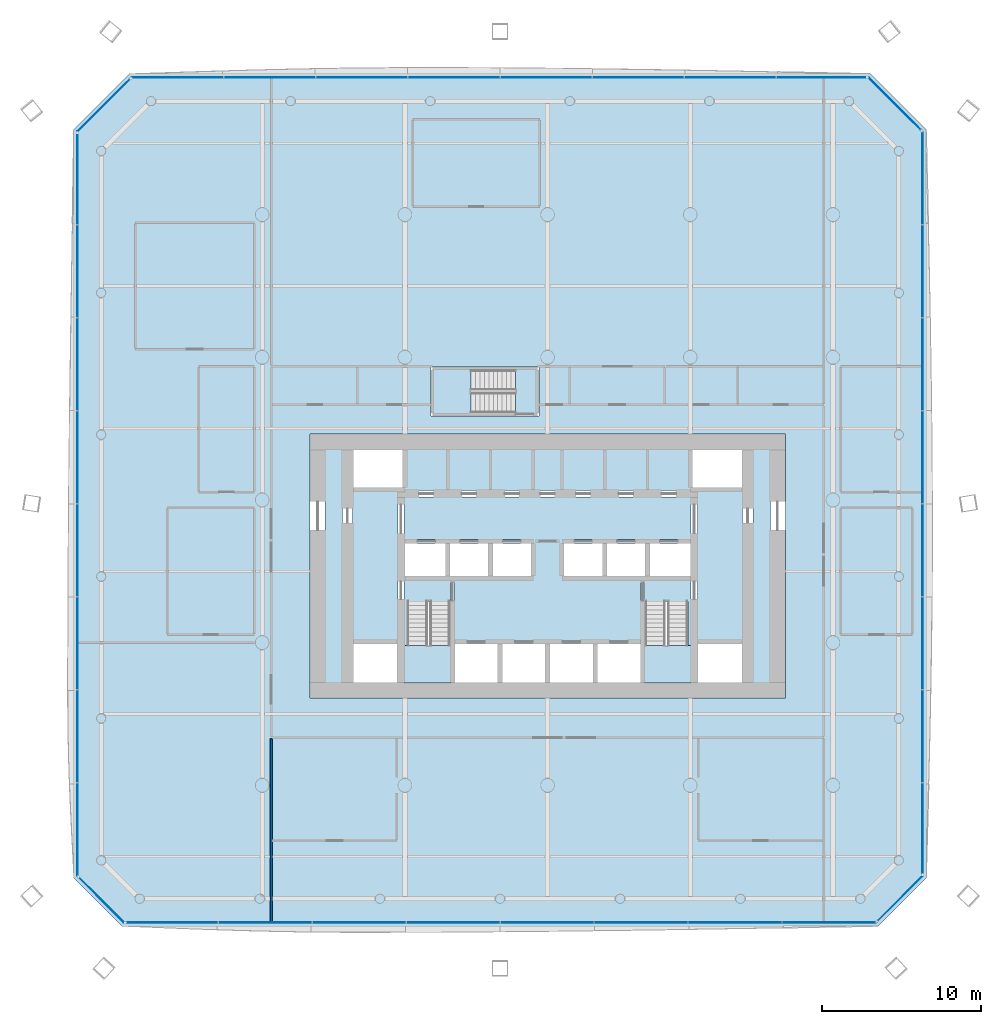
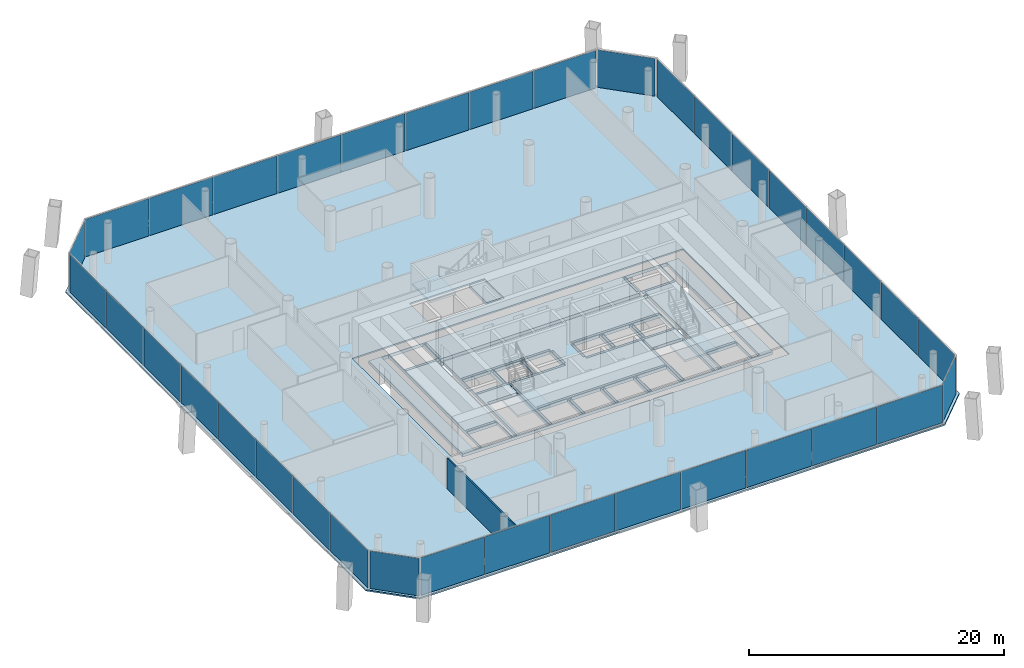
# One storey, part 12 of 21: 36 plates, 6 slabs, 1 wall, 11 elements without a shape of their own.
"""IFC4 building model written with IfcOpenShell, lengths in metres."""

import ifcopenshell
import ifcopenshell.guid

model = None  # the IFC model being written
_history = None  # IfcOwnerHistory: only IFC2X3 demands one
_inside = {}  # id of a spatial element -> (the spatial element, [elements in it])
_under = {}  # id of a project, library or spatial element -> (it, [spatial elements below it])
_declared = {}  # id of a project -> (the project, [libraries it declares])
_typed = {}  # id of a type object -> (the type object, [elements of that type])
_made_of = {}  # id of a material, layer set ... -> (it, [elements and type objects made of it])


def new_model(schema):
    """Start an empty IFC model of exactly this schema.

    Asked for "IFC4X3", IfcOpenShell would pick the latest addendum, in which some entities
    have other attributes; the version numbers below select the first issue.
    IFC2X3 requires an IfcOwnerHistory on every rooted entity: one is made here for all.
    """
    global model, _history
    if schema == "IFC4X3":
        model = ifcopenshell.file(schema_version=(4, 3, 0, 0))
    else:
        model = ifcopenshell.file(schema=schema)
    _inside.clear()
    _under.clear()
    _declared.clear()
    _typed.clear()
    _made_of.clear()
    _history = None
    if model.schema == "IFC2X3":
        org = make("IfcOrganization", Name="unknown")
        user = make(
            "IfcPersonAndOrganization",
            ThePerson=make("IfcPerson", FamilyName="unknown"),
            TheOrganization=org,
        )
        app = make(
            "IfcApplication",
            ApplicationDeveloper=org,
            Version="unknown",
            ApplicationFullName="unknown",
            ApplicationIdentifier="unknown",
        )
        _history = make(
            "IfcOwnerHistory",
            OwningUser=user,
            OwningApplication=app,
            ChangeAction="ADDED",
            CreationDate=0,
        )
    return model


def make(cls, **values):
    """One entity of the class cls with the attributes given. An attribute that is None is left unset."""
    return model.create_entity(
        cls, **{name: value for name, value in values.items() if value is not None}
    )


def rooted(cls, **values):
    """An entity with a GlobalId (a new one), such as an element, a storey or a relation."""
    return make(cls, GlobalId=ifcopenshell.guid.new(), OwnerHistory=_history, **values)


def si_unit(unit_type, name, prefix=None):
    """IfcSIUnit, for example si_unit("LENGTHUNIT", "METRE", prefix="MILLI")."""
    return make("IfcSIUnit", UnitType=unit_type, Prefix=prefix, Name=name)


def assignment(units):
    """IfcUnitAssignment: the units of a project."""
    return None if units is None else make("IfcUnitAssignment", Units=units)


def point(xyz):
    """IfcCartesianPoint."""
    return None if xyz is None else make("IfcCartesianPoint", Coordinates=xyz)


def direction(xyz):
    """IfcDirection."""
    return None if xyz is None else make("IfcDirection", DirectionRatios=xyz)


def frame(location, z_axis=None, x_axis=None):
    """IfcAxis2Placement3D, a coordinate frame: its origin and axes. An axis left out is left unset."""
    return make(
        "IfcAxis2Placement3D",
        Location=point(location),
        Axis=direction(z_axis),
        RefDirection=direction(x_axis),
    )


def frame_2d(location, x_axis=None):
    """IfcAxis2Placement2D, a coordinate frame in the plane: its origin and x axis."""
    return make(
        "IfcAxis2Placement2D", Location=point(location), RefDirection=direction(x_axis)
    )


def origin():
    """The frame at (0, 0, 0) with its axes left unset."""
    return frame((0.0, 0.0, 0.0))


def origin_2d():
    """The frame at (0, 0) in the plane with its x axis left unset."""
    return frame_2d((0.0, 0.0))


def place(relative_to, where):
    """IfcLocalPlacement: puts the frame where relative to a parent placement (None: the world)."""
    return make(
        "IfcLocalPlacement", PlacementRelTo=relative_to, RelativePlacement=where
    )


def context(
    kind, dimensions, precision=None, world=None, true_north=None, identifier=None
):
    """IfcGeometricRepresentationContext, for example the 3D "Model" context."""
    return make(
        "IfcGeometricRepresentationContext",
        ContextIdentifier=identifier,
        ContextType=kind,
        CoordinateSpaceDimension=dimensions,
        Precision=precision,
        WorldCoordinateSystem=world,
        TrueNorth=true_north,
    )


def subcontext(parent, identifier, kind, view, scale=None):
    """IfcGeometricRepresentationSubContext, for example "Body" below "Model"."""
    return make(
        "IfcGeometricRepresentationSubContext",
        ContextIdentifier=identifier,
        ContextType=kind,
        ParentContext=parent,
        TargetScale=scale,
        TargetView=view,
    )


def project(units=None, contexts=None):
    """IfcProject with its units and contexts."""
    return rooted(
        "IfcProject",
        Name="project",
        RepresentationContexts=contexts,
        UnitsInContext=assignment(units),
    )


def spatial(cls, under=None, at=None, **own):
    """A site, building, storey or space (cls), placed at a placement, below another one or the project."""
    s = rooted(cls, ObjectPlacement=at, **own)
    if under is not None:
        _under.setdefault(under.id(), (under, []))[1].append(s)
    return s


def polyline(points):
    """IfcPolyline through the points."""
    return make("IfcPolyline", Points=[point(p) for p in points])


def profile(cls, at=None, kind="AREA", **sizes):
    """A parametric profile (cls). Its sizes go by their IFC names, for example OverallWidth=200.0."""
    return make(cls, ProfileType=kind, Position=at, **sizes)


def rectangle(**sizes):
    """IfcRectangleProfileDef."""
    return profile("IfcRectangleProfileDef", **sizes)


def outline(outer, holes=None, kind="AREA"):
    """IfcArbitraryClosedProfileDef: a profile drawn as a closed curve; with holes, ...WithVoids."""
    if holes is None:
        return make("IfcArbitraryClosedProfileDef", ProfileType=kind, OuterCurve=outer)
    return make(
        "IfcArbitraryProfileDefWithVoids",
        ProfileType=kind,
        OuterCurve=outer,
        InnerCurves=holes,
    )


def extrude(swept, where, along, depth):
    """IfcExtrudedAreaSolid: the profile swept, set in the frame where, extruded along a direction by depth."""
    return make(
        "IfcExtrudedAreaSolid",
        SweptArea=swept,
        Position=where,
        ExtrudedDirection=direction(along),
        Depth=depth,
    )


def shape(context_of_items, identifier, shape_type, items):
    """IfcShapeRepresentation: the items that make up one representation, for example the "Body"."""
    return make(
        "IfcShapeRepresentation",
        ContextOfItems=context_of_items,
        RepresentationIdentifier=identifier,
        RepresentationType=shape_type,
        Items=items,
    )


def material(Name=None, Category=None):
    """IfcMaterial."""
    return make("IfcMaterial", Name=Name, Category=Category)


def layer(
    of_material, thickness, ventilated=None, Name=None, Category=None, Priority=None
):
    """IfcMaterialLayer: one layer of a wall or slab, of a material (None: an air gap)."""
    return make(
        "IfcMaterialLayer",
        Material=of_material,
        LayerThickness=thickness,
        IsVentilated=ventilated,
        Name=Name,
        Category=Category,
        Priority=Priority,
    )


def layer_set(layers, Name=None):
    """IfcMaterialLayerSet."""
    return make("IfcMaterialLayerSet", MaterialLayers=layers, LayerSetName=Name)


def made_of(thing, what):
    """Note that an element or type object is made of a material, layer set ...; save() writes the relation."""
    if what is not None:
        _made_of.setdefault(what.id(), (what, []))[1].append(thing)
    return thing


def type_object(cls, material=None, **own):
    """A type object (cls), such as IfcWallType, which elements share."""
    return made_of(rooted(cls, **own), material)


def element(
    cls,
    number,
    at=None,
    inside=None,
    cuts=None,
    type_object=None,
    material=None,
    context=None,
    identifier="Body",
    shape_type=None,
    held_by="IfcProductDefinitionShape",
    body=None,
    shapes=None,
    **own,
):
    """One element of the class cls, such as IfcWall. Its Tag is "e" and its number.

    at: its placement. inside: the storey or other place that contains it. cuts: it is an
    opening in that element (IfcRelVoidsElement). A single representation is given by context,
    identifier, shape_type and body (its items); several are given by shapes. held_by: the class
    of the entity that holds the representations. save() writes the other relations.
    """
    e = rooted(cls, Tag="e%d" % number, ObjectPlacement=at, **own)
    if body is not None:
        shapes = [shape(context, identifier, shape_type, body)]
    if shapes is not None:
        e.Representation = make(held_by, Representations=shapes)
    if inside is not None:
        _inside.setdefault(inside.id(), (inside, []))[1].append(e)
    if cuts is not None:
        rooted(
            "IfcRelVoidsElement", RelatingBuildingElement=cuts, RelatedOpeningElement=e
        )
    if type_object is not None:
        _typed.setdefault(type_object.id(), (type_object, []))[1].append(e)
    return made_of(e, material)


def aggregate(whole, parts):
    """IfcRelAggregates: a whole, such as a stair, and the parts it consists of."""
    return rooted("IfcRelAggregates", RelatingObject=whole, RelatedObjects=parts)


def save(model, path):
    """Write the relations noted so far, then the file.

    IfcRelAggregates (storeys below a building ...), IfcRelContainedInSpatialStructure (elements
    in a storey), IfcRelDefinesByType, IfcRelAssociatesMaterial and IfcRelDeclares: one each for
    every whole, place, type object, material and project.
    """
    for whole, parts in _under.values():
        aggregate(whole, parts)
    for where, things in _inside.values():
        rooted(
            "IfcRelContainedInSpatialStructure",
            RelatedElements=things,
            RelatingStructure=where,
        )
    for kind, things in _typed.values():
        rooted("IfcRelDefinesByType", RelatedObjects=things, RelatingType=kind)
    for what, things in _made_of.values():
        rooted("IfcRelAssociatesMaterial", RelatedObjects=things, RelatingMaterial=what)
    for by, libraries in _declared.values():
        rooted("IfcRelDeclares", RelatingContext=by, RelatedDefinitions=libraries)
    model.write(path)


model = new_model("IFC4")

# Units and contexts
model_context = context("Model", 3, precision=1e-05, world=origin(), true_north=direction((0.0, 1.0)))
body_context = subcontext(model_context, "Body", "Model", "MODEL_VIEW")
ifc_project = project(units=[si_unit("LENGTHUNIT", "METRE"), si_unit("AREAUNIT", "SQUARE_METRE"), si_unit("VOLUMEUNIT", "CUBIC_METRE"), si_unit("PLANEANGLEUNIT", "RADIAN"), si_unit("MASSUNIT", "GRAM", prefix="KILO")], contexts=[model_context])

# Site, building, storey
site_placement = place(None, origin())
site = spatial("IfcSite", under=ifc_project, at=site_placement, CompositionType="ELEMENT")
building_placement = place(site_placement, origin())
building = spatial("IfcBuilding", under=site, at=building_placement, Name="Tskaro Facet Tower", CompositionType="ELEMENT")
storey_placement = place(building_placement, frame((0.0, 0.0, 38.10009765625)))
storey = spatial("IfcBuildingStorey", under=building, at=storey_placement, Name="L08", CompositionType="ELEMENT", Elevation=38.10009765625)

# Slab
ifc_material_1 = material(Name="Concrete C30/37", Category="concrete")
ifc_layer_1 = layer(ifc_material_1, 0.139892578125, Name="Concrete C30/37")
ifc_layer_set_1 = layer_set([ifc_layer_1], Name="Concrete C30/37")
slab_type_1 = type_object("IfcSlabType", Name="Composite deck floor slab", PredefinedType="FLOOR", material=ifc_layer_set_1)
slab_1_placement = place(storey_placement, frame((0.0, 0.0, -0.14013671875)))
element("IfcSlab", 1, at=slab_1_placement, inside=storey, type_object=slab_type_1, Name="Floor slab FS3 L08", PredefinedType="FLOOR", context=body_context, shape_type="SweptSolid", body=[
    extrude(outline(polyline([(-26.81689453125, -26.904052734375), (20.81689453125, -26.904052734375), (23.904052734375, -23.81689453125), (23.904052734375, 23.339111328125), (20.339111328125, 26.904052734375), (-26.339111328125, 26.904052734375), (-29.904052734375, 23.339111328125), (-29.904052734375, -23.81689453125), (-26.81689453125, -26.904052734375)]), holes=[polyline([(-15.0, -12.5), (15.0, -12.5), (15.0, 4.14990234375), (-15.0, 4.14990234375), (-15.0, -12.5)]), polyline([(-7.35009765625, 5.300048828125), (-0.550048828125, 5.300048828125), (-0.550048828125, 8.39990234375), (-7.35009765625, 8.39990234375), (-7.35009765625, 5.300048828125)])]), origin(), (0.0, 0.0, 1.0), 0.14013671875),
])

# Curtain wall, plates
ifc_material_2 = material(Name="Bronze anodised aluminium 6063-T6", Category="aluminium")
curtain_wall_type = type_object("IfcCurtainWallType", Name="Bronze office curtain wall (FW1)", PredefinedType="NOTDEFINED", material=ifc_material_2)
curtain_wall_1_placement = place(storey_placement, origin())
curtain_wall_1 = element("IfcCurtainWall", 2, at=curtain_wall_1_placement, inside=storey, type_object=curtain_wall_type, Name="FW1 south facet L08", PredefinedType="NOTDEFINED")
ifc_material_3 = material(Name="Bronze tinted glass", Category="glass")
ifc_layer_2 = layer(ifc_material_3, 0.031982421875, Name="Bronze tinted glass")
ifc_layer_set_2 = layer_set([ifc_layer_2], Name="Bronze tinted glass")
plate_type = type_object("IfcPlateType", Name="FW1 bronze-tinted unit glazing 32", PredefinedType="CURTAIN_PANEL", material=ifc_layer_set_2)
plate_1_placement = place(storey_placement, frame((-23.683837890625, -26.654052734375, -0.000244140625), z_axis=(0.0, 0.0, 1.0), x_axis=(1.0, 0.0, 0.0)))
plate_1 = element("IfcPlate", 3, at=plate_1_placement, type_object=plate_type, Name="FW1 south glazing 1.1", PredefinedType="CURTAIN_PANEL", context=body_context, shape_type="SweptSolid", body=[
    extrude(rectangle(XDim=5.73828125, YDim=0.031982421875, at=origin_2d()), origin(), (0.0, 0.0, 1.0), 3.60009765625),
])
plate_2_placement = place(storey_placement, frame((-17.820556640625, -26.654052734375, -0.000244140625), z_axis=(0.0, 0.0, 1.0), x_axis=(1.0, 0.0, 0.0)))
plate_2 = element("IfcPlate", 4, at=plate_2_placement, type_object=plate_type, Name="FW1 south glazing 2.1", PredefinedType="CURTAIN_PANEL", context=body_context, shape_type="SweptSolid", body=[
    extrude(rectangle(XDim=5.8681640625, YDim=0.031982421875, at=origin_2d()), origin(), (0.0, 0.0, 1.0), 3.60009765625),
])
plate_3_placement = place(storey_placement, frame((-11.892333984375, -26.654052734375, -0.000244140625), z_axis=(0.0, 0.0, 1.0), x_axis=(1.0, 0.0, 0.0)))
plate_3 = element("IfcPlate", 5, at=plate_3_placement, type_object=plate_type, Name="FW1 south glazing 3.1", PredefinedType="CURTAIN_PANEL", context=body_context, shape_type="SweptSolid", body=[
    extrude(rectangle(XDim=5.8681640625, YDim=0.031982421875, at=origin_2d()), origin(), (0.0, 0.0, 1.0), 3.60009765625),
])
plate_4_placement = place(storey_placement, frame((-5.964111328125, -26.654052734375, -0.000244140625), z_axis=(0.0, 0.0, 1.0), x_axis=(1.0, 0.0, 0.0)))
plate_4 = element("IfcPlate", 6, at=plate_4_placement, type_object=plate_type, Name="FW1 south glazing 4.1", PredefinedType="CURTAIN_PANEL", context=body_context, shape_type="SweptSolid", body=[
    extrude(rectangle(XDim=5.8681640625, YDim=0.031982421875, at=origin_2d()), origin(), (0.0, 0.0, 1.0), 3.60009765625),
])
plate_5_placement = place(storey_placement, frame((-0.035888671875, -26.654052734375, -0.000244140625), z_axis=(0.0, 0.0, 1.0), x_axis=(1.0, 0.0, 0.0)))
plate_5 = element("IfcPlate", 7, at=plate_5_placement, type_object=plate_type, Name="FW1 south glazing 5.1", PredefinedType="CURTAIN_PANEL", context=body_context, shape_type="SweptSolid", body=[
    extrude(rectangle(XDim=5.8681640625, YDim=0.031982421875, at=origin_2d()), origin(), (0.0, 0.0, 1.0), 3.60009765625),
])
plate_6_placement = place(storey_placement, frame((5.892333984375, -26.654052734375, -0.000244140625), z_axis=(0.0, 0.0, 1.0), x_axis=(1.0, 0.0, 0.0)))
plate_6 = element("IfcPlate", 8, at=plate_6_placement, type_object=plate_type, Name="FW1 south glazing 6.1", PredefinedType="CURTAIN_PANEL", context=body_context, shape_type="SweptSolid", body=[
    extrude(rectangle(XDim=5.8681640625, YDim=0.031982421875, at=origin_2d()), origin(), (0.0, 0.0, 1.0), 3.60009765625),
])
plate_7_placement = place(storey_placement, frame((11.820556640625, -26.654052734375, -0.000244140625), z_axis=(0.0, 0.0, 1.0), x_axis=(1.0, 0.0, 0.0)))
plate_7 = element("IfcPlate", 9, at=plate_7_placement, type_object=plate_type, Name="FW1 south glazing 7.1", PredefinedType="CURTAIN_PANEL", context=body_context, shape_type="SweptSolid", body=[
    extrude(rectangle(XDim=5.8681640625, YDim=0.031982421875, at=origin_2d()), origin(), (0.0, 0.0, 1.0), 3.60009765625),
])
plate_8_placement = place(storey_placement, frame((17.763916015625, -26.654052734375, -0.000244140625), z_axis=(0.0, 0.0, 1.0), x_axis=(1.0, 0.0, 0.0)))
plate_8 = element("IfcPlate", 10, at=plate_8_placement, type_object=plate_type, Name="FW1 south glazing 8.1", PredefinedType="CURTAIN_PANEL", context=body_context, shape_type="SweptSolid", body=[
    extrude(rectangle(XDim=5.898193359375, YDim=0.031982421875, at=origin_2d()), origin(), (0.0, 0.0, 1.0), 3.60009765625),
])
aggregate(curtain_wall_1, [plate_1, plate_2, plate_3, plate_4, plate_5, plate_6, plate_7, plate_8])

# Curtain wall, plate
curtain_wall_2_placement = place(storey_placement, origin())
curtain_wall_2 = element("IfcCurtainWall", 11, at=curtain_wall_2_placement, inside=storey, type_object=curtain_wall_type, Name="FW1 south-east facet L08", PredefinedType="NOTDEFINED")
plate_9_placement = place(storey_placement, frame((22.239990234375, -25.126953125, -0.000244140625), z_axis=(0.0, 0.0, 1.0), x_axis=(0.707106781187, 0.707106781187, 0.0)))
plate_9 = element("IfcPlate", 12, at=plate_9_placement, type_object=plate_type, Name="FW1 south-east glazing 1.1", PredefinedType="CURTAIN_PANEL", context=body_context, shape_type="SweptSolid", body=[
    extrude(rectangle(XDim=3.999267578125, YDim=0.031982421875, at=origin_2d()), origin(), (0.0, 0.0, 1.0), 3.60009765625),
])
aggregate(curtain_wall_2, [plate_9])

# Curtain wall, plates
curtain_wall_3_placement = place(storey_placement, origin())
curtain_wall_3 = element("IfcCurtainWall", 13, at=curtain_wall_3_placement, inside=storey, type_object=curtain_wall_type, Name="FW1 east facet L08", PredefinedType="NOTDEFINED")
plate_10_placement = place(storey_placement, frame((23.654052734375, -20.7138671875, -0.000244140625), z_axis=(0.0, 0.0, 1.0), x_axis=(0.0, 1.0, 0.0)))
plate_10 = element("IfcPlate", 14, at=plate_10_placement, type_object=plate_type, Name="FW1 east glazing 1.1", PredefinedType="CURTAIN_PANEL", context=body_context, shape_type="SweptSolid", body=[
    extrude(rectangle(XDim=5.678466796875, YDim=0.031982421875, at=origin_2d()), origin(), (0.0, 0.0, 1.0), 3.60009765625),
])
plate_11_placement = place(storey_placement, frame((23.654052734375, -14.91015625, -0.000244140625), z_axis=(0.0, 0.0, 1.0), x_axis=(0.0, 1.0, 0.0)))
plate_11 = element("IfcPlate", 15, at=plate_11_placement, type_object=plate_type, Name="FW1 east glazing 2.1", PredefinedType="CURTAIN_PANEL", context=body_context, shape_type="SweptSolid", body=[
    extrude(rectangle(XDim=5.80859375, YDim=0.031982421875, at=origin_2d()), origin(), (0.0, 0.0, 1.0), 3.60009765625),
])
plate_12_placement = place(storey_placement, frame((23.654052734375, -9.041748046875, -0.000244140625), z_axis=(0.0, 0.0, 1.0), x_axis=(0.0, 1.0, 0.0)))
plate_12 = element("IfcPlate", 16, at=plate_12_placement, type_object=plate_type, Name="FW1 east glazing 3.1", PredefinedType="CURTAIN_PANEL", context=body_context, shape_type="SweptSolid", body=[
    extrude(rectangle(XDim=5.80859375, YDim=0.031982421875, at=origin_2d()), origin(), (0.0, 0.0, 1.0), 3.60009765625),
])
plate_13_placement = place(storey_placement, frame((23.654052734375, -3.17333984375, -0.000244140625), z_axis=(0.0, 0.0, 1.0), x_axis=(0.0, 1.0, 0.0)))
plate_13 = element("IfcPlate", 17, at=plate_13_placement, type_object=plate_type, Name="FW1 east glazing 4.1", PredefinedType="CURTAIN_PANEL", context=body_context, shape_type="SweptSolid", body=[
    extrude(rectangle(XDim=5.80859375, YDim=0.031982421875, at=origin_2d()), origin(), (0.0, 0.0, 1.0), 3.60009765625),
])
plate_14_placement = place(storey_placement, frame((23.654052734375, 2.6953125, -0.000244140625), z_axis=(0.0, 0.0, 1.0), x_axis=(0.0, 1.0, 0.0)))
plate_14 = element("IfcPlate", 18, at=plate_14_placement, type_object=plate_type, Name="FW1 east glazing 5.1", PredefinedType="CURTAIN_PANEL", context=body_context, shape_type="SweptSolid", body=[
    extrude(rectangle(XDim=5.80859375, YDim=0.031982421875, at=origin_2d()), origin(), (0.0, 0.0, 1.0), 3.60009765625),
])
plate_15_placement = place(storey_placement, frame((23.654052734375, 8.563720703125, -0.000244140625), z_axis=(0.0, 0.0, 1.0), x_axis=(0.0, 1.0, 0.0)))
plate_15 = element("IfcPlate", 19, at=plate_15_placement, type_object=plate_type, Name="FW1 east glazing 6.1", PredefinedType="CURTAIN_PANEL", context=body_context, shape_type="SweptSolid", body=[
    extrude(rectangle(XDim=5.80859375, YDim=0.031982421875, at=origin_2d()), origin(), (0.0, 0.0, 1.0), 3.60009765625),
])
plate_16_placement = place(storey_placement, frame((23.654052734375, 14.43212890625, -0.000244140625), z_axis=(0.0, 0.0, 1.0), x_axis=(0.0, 1.0, 0.0)))
plate_16 = element("IfcPlate", 20, at=plate_16_placement, type_object=plate_type, Name="FW1 east glazing 7.1", PredefinedType="CURTAIN_PANEL", context=body_context, shape_type="SweptSolid", body=[
    extrude(rectangle(XDim=5.80859375, YDim=0.031982421875, at=origin_2d()), origin(), (0.0, 0.0, 1.0), 3.60009765625),
])
plate_17_placement = place(storey_placement, frame((23.654052734375, 20.315673828125, -0.000244140625), z_axis=(0.0, 0.0, 1.0), x_axis=(0.0, 1.0, 0.0)))
plate_17 = element("IfcPlate", 21, at=plate_17_placement, type_object=plate_type, Name="FW1 east glazing 8.1", PredefinedType="CURTAIN_PANEL", context=body_context, shape_type="SweptSolid", body=[
    extrude(rectangle(XDim=5.83837890625, YDim=0.031982421875, at=origin_2d()), origin(), (0.0, 0.0, 1.0), 3.60009765625),
])
aggregate(curtain_wall_3, [plate_10, plate_11, plate_12, plate_13, plate_14, plate_15, plate_16, plate_17])

# Curtain wall, plate
curtain_wall_4_placement = place(storey_placement, origin())
curtain_wall_4 = element("IfcCurtainWall", 22, at=curtain_wall_4_placement, inside=storey, type_object=curtain_wall_type, Name="FW1 north-east facet L08", PredefinedType="NOTDEFINED")
plate_18_placement = place(storey_placement, frame((21.887939453125, 25.0009765625, -0.000244140625), z_axis=(0.0, 0.0, 1.0), x_axis=(-0.707106781187, 0.707106781187, 0.0)))
plate_18 = element("IfcPlate", 23, at=plate_18_placement, type_object=plate_type, Name="FW1 north-east glazing 1.1", PredefinedType="CURTAIN_PANEL", context=body_context, shape_type="SweptSolid", body=[
    extrude(rectangle(XDim=4.67529296875, YDim=0.031982421875, at=origin_2d()), origin(), (0.0, 0.0, 1.0), 3.60009765625),
])
aggregate(curtain_wall_4, [plate_18])

# Curtain wall, plates
curtain_wall_5_placement = place(storey_placement, origin())
curtain_wall_5 = element("IfcCurtainWall", 24, at=curtain_wall_5_placement, inside=storey, type_object=curtain_wall_type, Name="FW1 north facet L08", PredefinedType="NOTDEFINED")
plate_19_placement = place(storey_placement, frame((17.265625, 26.654052734375, -0.000244140625), z_axis=(0.0, 0.0, 1.0), x_axis=(-1.0, 0.0, 0.0)))
plate_19 = element("IfcPlate", 25, at=plate_19_placement, type_object=plate_type, Name="FW1 north glazing 1.1", PredefinedType="CURTAIN_PANEL", context=body_context, shape_type="SweptSolid", body=[
    extrude(rectangle(XDim=5.61865234375, YDim=0.031982421875, at=origin_2d()), origin(), (0.0, 0.0, 1.0), 3.60009765625),
])
plate_20_placement = place(storey_placement, frame((11.52197265625, 26.654052734375, -0.000244140625), z_axis=(0.0, 0.0, 1.0), x_axis=(-1.0, 0.0, 0.0)))
plate_20 = element("IfcPlate", 26, at=plate_20_placement, type_object=plate_type, Name="FW1 north glazing 2.1", PredefinedType="CURTAIN_PANEL", context=body_context, shape_type="SweptSolid", body=[
    extrude(rectangle(XDim=5.748779296875, YDim=0.031982421875, at=origin_2d()), origin(), (0.0, 0.0, 1.0), 3.60009765625),
])
plate_21_placement = place(storey_placement, frame((5.713134765625, 26.654052734375, -0.000244140625), z_axis=(0.0, 0.0, 1.0), x_axis=(-1.0, 0.0, 0.0)))
plate_21 = element("IfcPlate", 27, at=plate_21_placement, type_object=plate_type, Name="FW1 north glazing 3.1", PredefinedType="CURTAIN_PANEL", context=body_context, shape_type="SweptSolid", body=[
    extrude(rectangle(XDim=5.748779296875, YDim=0.031982421875, at=origin_2d()), origin(), (0.0, 0.0, 1.0), 3.60009765625),
])
plate_22_placement = place(storey_placement, frame((-0.095703125, 26.654052734375, -0.000244140625), z_axis=(0.0, 0.0, 1.0), x_axis=(-1.0, 0.0, 0.0)))
plate_22 = element("IfcPlate", 28, at=plate_22_placement, type_object=plate_type, Name="FW1 north glazing 4.1", PredefinedType="CURTAIN_PANEL", context=body_context, shape_type="SweptSolid", body=[
    extrude(rectangle(XDim=5.748779296875, YDim=0.031982421875, at=origin_2d()), origin(), (0.0, 0.0, 1.0), 3.60009765625),
])
plate_23_placement = place(storey_placement, frame((-5.904296875, 26.654052734375, -0.000244140625), z_axis=(0.0, 0.0, 1.0), x_axis=(-1.0, 0.0, 0.0)))
plate_23 = element("IfcPlate", 29, at=plate_23_placement, type_object=plate_type, Name="FW1 north glazing 5.1", PredefinedType="CURTAIN_PANEL", context=body_context, shape_type="SweptSolid", body=[
    extrude(rectangle(XDim=5.748779296875, YDim=0.031982421875, at=origin_2d()), origin(), (0.0, 0.0, 1.0), 3.60009765625),
])
plate_24_placement = place(storey_placement, frame((-11.713134765625, 26.654052734375, -0.000244140625), z_axis=(0.0, 0.0, 1.0), x_axis=(-1.0, 0.0, 0.0)))
plate_24 = element("IfcPlate", 30, at=plate_24_placement, type_object=plate_type, Name="FW1 north glazing 6.1", PredefinedType="CURTAIN_PANEL", context=body_context, shape_type="SweptSolid", body=[
    extrude(rectangle(XDim=5.748779296875, YDim=0.031982421875, at=origin_2d()), origin(), (0.0, 0.0, 1.0), 3.60009765625),
])
plate_25_placement = place(storey_placement, frame((-17.52197265625, 26.654052734375, -0.000244140625), z_axis=(0.0, 0.0, 1.0), x_axis=(-1.0, 0.0, 0.0)))
plate_25 = element("IfcPlate", 31, at=plate_25_placement, type_object=plate_type, Name="FW1 north glazing 7.1", PredefinedType="CURTAIN_PANEL", context=body_context, shape_type="SweptSolid", body=[
    extrude(rectangle(XDim=5.748779296875, YDim=0.031982421875, at=origin_2d()), origin(), (0.0, 0.0, 1.0), 3.60009765625),
])
plate_26_placement = place(storey_placement, frame((-23.345703125, 26.654052734375, -0.000244140625), z_axis=(0.0, 0.0, 1.0), x_axis=(-1.0, 0.0, 0.0)))
plate_26 = element("IfcPlate", 32, at=plate_26_placement, type_object=plate_type, Name="FW1 north glazing 8.1", PredefinedType="CURTAIN_PANEL", context=body_context, shape_type="SweptSolid", body=[
    extrude(rectangle(XDim=5.77880859375, YDim=0.031982421875, at=origin_2d()), origin(), (0.0, 0.0, 1.0), 3.60009765625),
])
aggregate(curtain_wall_5, [plate_19, plate_20, plate_21, plate_22, plate_23, plate_24, plate_25, plate_26])

# Curtain wall, plate
curtain_wall_6_placement = place(storey_placement, origin())
curtain_wall_6 = element("IfcCurtainWall", 33, at=curtain_wall_6_placement, inside=storey, type_object=curtain_wall_type, Name="FW1 north-west facet L08", PredefinedType="NOTDEFINED")
plate_27_placement = place(storey_placement, frame((-28.0009765625, 24.887939453125, -0.000244140625), z_axis=(0.0, 0.0, 1.0), x_axis=(-0.707106781187, -0.707106781187, 0.0)))
plate_27 = element("IfcPlate", 34, at=plate_27_placement, type_object=plate_type, Name="FW1 north-west glazing 1.1", PredefinedType="CURTAIN_PANEL", context=body_context, shape_type="SweptSolid", body=[
    extrude(rectangle(XDim=4.67529296875, YDim=0.031982421875, at=origin_2d()), origin(), (0.0, 0.0, 1.0), 3.60009765625),
])
aggregate(curtain_wall_6, [plate_27])

# Curtain wall, plates
curtain_wall_7_placement = place(storey_placement, origin())
curtain_wall_7 = element("IfcCurtainWall", 35, at=curtain_wall_7_placement, inside=storey, type_object=curtain_wall_type, Name="FW1 west facet L08", PredefinedType="NOTDEFINED")
plate_28_placement = place(storey_placement, frame((-29.654052734375, 20.23583984375, -0.000244140625), z_axis=(0.0, 0.0, 1.0), x_axis=(0.0, -1.0, 0.0)))
plate_28 = element("IfcPlate", 36, at=plate_28_placement, type_object=plate_type, Name="FW1 west glazing 1.1", PredefinedType="CURTAIN_PANEL", context=body_context, shape_type="SweptSolid", body=[
    extrude(rectangle(XDim=5.678466796875, YDim=0.031982421875, at=origin_2d()), origin(), (0.0, 0.0, 1.0), 3.60009765625),
])
plate_29_placement = place(storey_placement, frame((-29.654052734375, 14.43212890625, -0.000244140625), z_axis=(0.0, 0.0, 1.0), x_axis=(0.0, -1.0, 0.0)))
plate_29 = element("IfcPlate", 37, at=plate_29_placement, type_object=plate_type, Name="FW1 west glazing 2.1", PredefinedType="CURTAIN_PANEL", context=body_context, shape_type="SweptSolid", body=[
    extrude(rectangle(XDim=5.80859375, YDim=0.031982421875, at=origin_2d()), origin(), (0.0, 0.0, 1.0), 3.60009765625),
])
plate_30_placement = place(storey_placement, frame((-29.654052734375, 8.563720703125, -0.000244140625), z_axis=(0.0, 0.0, 1.0), x_axis=(0.0, -1.0, 0.0)))
plate_30 = element("IfcPlate", 38, at=plate_30_placement, type_object=plate_type, Name="FW1 west glazing 3.1", PredefinedType="CURTAIN_PANEL", context=body_context, shape_type="SweptSolid", body=[
    extrude(rectangle(XDim=5.80859375, YDim=0.031982421875, at=origin_2d()), origin(), (0.0, 0.0, 1.0), 3.60009765625),
])
plate_31_placement = place(storey_placement, frame((-29.654052734375, 2.6953125, -0.000244140625), z_axis=(0.0, 0.0, 1.0), x_axis=(0.0, -1.0, 0.0)))
plate_31 = element("IfcPlate", 39, at=plate_31_placement, type_object=plate_type, Name="FW1 west glazing 4.1", PredefinedType="CURTAIN_PANEL", context=body_context, shape_type="SweptSolid", body=[
    extrude(rectangle(XDim=5.80859375, YDim=0.031982421875, at=origin_2d()), origin(), (0.0, 0.0, 1.0), 3.60009765625),
])
plate_32_placement = place(storey_placement, frame((-29.654052734375, -3.17333984375, -0.000244140625), z_axis=(0.0, 0.0, 1.0), x_axis=(0.0, -1.0, 0.0)))
plate_32 = element("IfcPlate", 40, at=plate_32_placement, type_object=plate_type, Name="FW1 west glazing 5.1", PredefinedType="CURTAIN_PANEL", context=body_context, shape_type="SweptSolid", body=[
    extrude(rectangle(XDim=5.80859375, YDim=0.031982421875, at=origin_2d()), origin(), (0.0, 0.0, 1.0), 3.60009765625),
])
plate_33_placement = place(storey_placement, frame((-29.654052734375, -9.041748046875, -0.000244140625), z_axis=(0.0, 0.0, 1.0), x_axis=(0.0, -1.0, 0.0)))
plate_33 = element("IfcPlate", 41, at=plate_33_placement, type_object=plate_type, Name="FW1 west glazing 6.1", PredefinedType="CURTAIN_PANEL", context=body_context, shape_type="SweptSolid", body=[
    extrude(rectangle(XDim=5.80859375, YDim=0.031982421875, at=origin_2d()), origin(), (0.0, 0.0, 1.0), 3.60009765625),
])
plate_34_placement = place(storey_placement, frame((-29.654052734375, -14.91015625, -0.000244140625), z_axis=(0.0, 0.0, 1.0), x_axis=(0.0, -1.0, 0.0)))
plate_34 = element("IfcPlate", 42, at=plate_34_placement, type_object=plate_type, Name="FW1 west glazing 7.1", PredefinedType="CURTAIN_PANEL", context=body_context, shape_type="SweptSolid", body=[
    extrude(rectangle(XDim=5.80859375, YDim=0.031982421875, at=origin_2d()), origin(), (0.0, 0.0, 1.0), 3.60009765625),
])
plate_35_placement = place(storey_placement, frame((-29.654052734375, -20.793701171875, -0.000244140625), z_axis=(0.0, 0.0, 1.0), x_axis=(0.0, -1.0, 0.0)))
plate_35 = element("IfcPlate", 43, at=plate_35_placement, type_object=plate_type, Name="FW1 west glazing 8.1", PredefinedType="CURTAIN_PANEL", context=body_context, shape_type="SweptSolid", body=[
    extrude(rectangle(XDim=5.83837890625, YDim=0.031982421875, at=origin_2d()), origin(), (0.0, 0.0, 1.0), 3.60009765625),
])
aggregate(curtain_wall_7, [plate_28, plate_29, plate_30, plate_31, plate_32, plate_33, plate_34, plate_35])

# Curtain wall, plate
curtain_wall_8_placement = place(storey_placement, origin())
curtain_wall_8 = element("IfcCurtainWall", 44, at=curtain_wall_8_placement, inside=storey, type_object=curtain_wall_type, Name="FW1 south-west facet L08", PredefinedType="NOTDEFINED")
plate_36_placement = place(storey_placement, frame((-28.126953125, -25.239990234375, -0.000244140625), z_axis=(0.0, 0.0, 1.0), x_axis=(0.707106781187, -0.707106781187, 0.0)))
plate_36 = element("IfcPlate", 45, at=plate_36_placement, type_object=plate_type, Name="FW1 south-west glazing 1.1", PredefinedType="CURTAIN_PANEL", context=body_context, shape_type="SweptSolid", body=[
    extrude(rectangle(XDim=3.999267578125, YDim=0.031982421875, at=origin_2d()), origin(), (0.0, 0.0, 1.0), 3.60009765625),
])
aggregate(curtain_wall_8, [plate_36])

# Stair, slab
ifc_material_4 = material(Name="Concrete C40/50", Category="concrete")
stair_type = type_object("IfcStairType", Name="ST-TWR", PredefinedType="HALF_TURN_STAIR", material=ifc_material_4)
stair_1_placement = place(storey_placement, origin())
stair_1 = element("IfcStair", 46, at=stair_1_placement, inside=storey, type_object=stair_type, Name="L08 Exit stair 1", PredefinedType="HALF_TURN_STAIR")
ifc_layer_3 = layer(ifc_material_4, 0.199951171875, Name="Concrete C40/50")
ifc_layer_set_3 = layer_set([ifc_layer_3], Name="Concrete C40/50")
slab_type_2 = type_object("IfcSlabType", Name="SL-LANDING", PredefinedType="LANDING", material=ifc_layer_set_3)
slab_2_placement = place(storey_placement, frame((0.0, 0.0, 1.75)))
slab_2 = element("IfcSlab", 47, at=slab_2_placement, type_object=slab_type_2, Name="ST-1 landing 1", PredefinedType="LANDING", context=body_context, shape_type="SweptSolid", body=[
    extrude(outline(polyline([(-9.050048828125, -11.550048828125), (-6.10009765625, -11.550048828125), (-6.10009765625, -9.175048828125), (-9.050048828125, -9.175048828125), (-9.050048828125, -11.550048828125)])), origin(), (0.0, 0.0, 1.0), 0.199951171875),
])
aggregate(stair_1, [slab_2])

stair_2_placement = place(storey_placement, origin())
stair_2 = element("IfcStair", 48, at=stair_2_placement, inside=storey, type_object=stair_type, Name="L08 Exit stair 2", PredefinedType="HALF_TURN_STAIR")
slab_3_placement = place(storey_placement, frame((0.0, 0.0, 1.75)))
slab_3 = element("IfcSlab", 49, at=slab_3_placement, type_object=slab_type_2, Name="ST-2 landing 1", PredefinedType="LANDING", context=body_context, shape_type="SweptSolid", body=[
    extrude(outline(polyline([(6.10009765625, -11.550048828125), (9.050048828125, -11.550048828125), (9.050048828125, -9.175048828125), (6.10009765625, -9.175048828125), (6.10009765625, -11.550048828125)])), origin(), (0.0, 0.0, 1.0), 0.199951171875),
])
aggregate(stair_2, [slab_3])

stair_3_placement = place(storey_placement, origin())
stair_3 = element("IfcStair", 50, at=stair_3_placement, inside=storey, type_object=stair_type, Name="L08 Exit stair 3", PredefinedType="HALF_TURN_STAIR")
slab_4_placement = place(storey_placement, frame((0.0, 0.0, 1.75)))
slab_4 = element("IfcSlab", 51, at=slab_4_placement, type_object=slab_type_2, Name="ST-3 landing 1", PredefinedType="LANDING", context=body_context, shape_type="SweptSolid", body=[
    extrude(outline(polyline([(-7.199951171875, 5.449951171875), (-4.824951171875, 5.449951171875), (-4.824951171875, 8.25), (-7.199951171875, 8.25), (-7.199951171875, 5.449951171875)])), origin(), (0.0, 0.0, 1.0), 0.199951171875),
])
aggregate(stair_3, [slab_4])

# Slabs
ifc_material_5 = material(Name="Concrete C60/75", Category="concrete")
ifc_layer_4 = layer(ifc_material_5, 0.300048828125, Name="Concrete C60/75")
ifc_layer_set_4 = layer_set([ifc_layer_4], Name="Concrete C60/75")
slab_type_3 = type_object("IfcSlabType", Name="SLAB-CORE", PredefinedType="FLOOR", material=ifc_layer_set_4)
slab_5_placement = place(storey_placement, frame((0.0, 0.0, -0.300048828125)))
element("IfcSlab", 52, at=slab_5_placement, inside=storey, type_object=slab_type_3, Name="Core floor slab 1", PredefinedType="FLOOR", context=body_context, shape_type="SweptSolid", body=[
    extrude(outline(polyline([(-14.050048828125, 3.199951171875), (14.050048828125, 3.199951171875), (14.050048828125, 3.10009765625), (14.050048828125, -11.449951171875), (14.050048828125, -11.550048828125), (-14.050048828125, -11.550048828125), (-14.050048828125, -11.449951171875), (-14.050048828125, 3.10009765625), (-14.050048828125, 3.199951171875)]), holes=[polyline([(-9.5, -9.10009765625), (-12.25, -9.10009765625), (-12.25, -11.5), (-9.5, -11.5), (-9.5, -9.10009765625)]), polyline([(-3.14990234375, -9.10009765625), (-5.85009765625, -9.10009765625), (-5.85009765625, -11.5), (-3.14990234375, -11.5), (-3.14990234375, -9.10009765625)]), polyline([(-12.199951171875, -8.85009765625), (-12.199951171875, -9.050048828125), (-9.550048828125, -9.050048828125), (-9.550048828125, -8.85009765625), (-12.199951171875, -8.85009765625)]), polyline([(-6.10009765625, -11.449951171875), (-5.89990234375, -11.449951171875), (-5.89990234375, -5.14990234375), (-6.10009765625, -5.14990234375), (-6.10009765625, -11.449951171875)]), polyline([(-9.449951171875, 0.10009765625), (-9.449951171875, -11.449951171875), (-9.050048828125, -11.449951171875), (-9.050048828125, 0.10009765625), (-9.449951171875, 0.10009765625)]), polyline([(-8.949951171875, -4.85009765625), (-8.949951171875, -5.050048828125), (-0.949951171875, -5.050048828125), (-0.949951171875, -4.85009765625), (-8.949951171875, -4.85009765625)]), polyline([(-12.949951171875, -11.449951171875), (-12.300048828125, -11.449951171875), (-12.300048828125, 3.10009765625), (-12.949951171875, 3.10009765625), (-12.949951171875, -11.449951171875)]), polyline([(-6.449951171875, -4.800048828125), (-6.449951171875, -2.75), (-9.0, -2.75), (-9.0, -4.800048828125), (-6.449951171875, -4.800048828125)]), polyline([(-3.75, -2.75), (-6.14990234375, -2.75), (-6.14990234375, -4.800048828125), (-3.75, -4.800048828125), (-3.75, -2.75)]), polyline([(-6.39990234375, -2.800048828125), (-6.39990234375, -4.75), (-6.199951171875, -4.75), (-6.199951171875, -2.800048828125), (-6.39990234375, -2.800048828125)]), polyline([(-8.949951171875, -2.5), (-8.949951171875, -2.699951171875), (-0.949951171875, -2.699951171875), (-0.949951171875, -2.5), (-8.949951171875, -2.5)]), polyline([(9.449951171875, 0.550048828125), (12.199951171875, 0.550048828125), (12.199951171875, 0.75), (9.050048828125, 0.75), (9.050048828125, 0.60009765625), (-9.050048828125, 0.60009765625), (-9.050048828125, 0.75), (-12.199951171875, 0.75), (-12.199951171875, 0.550048828125), (-9.449951171875, 0.550048828125), (-9.449951171875, 0.199951171875), (9.449951171875, 0.199951171875), (9.449951171875, 0.550048828125)]), polyline([(-9.10009765625, 3.10009765625), (-9.10009765625, 0.85009765625), (-8.89990234375, 0.85009765625), (-8.89990234375, 3.10009765625), (-9.10009765625, 3.10009765625)]), polyline([(-9.14990234375, 0.800048828125), (-9.14990234375, 3.14990234375), (-12.25, 3.14990234375), (-12.25, 0.800048828125), (-9.14990234375, 0.800048828125)]), polyline([(2.89990234375, -11.449951171875), (3.10009765625, -11.449951171875), (3.10009765625, -9.14990234375), (2.89990234375, -9.14990234375), (2.89990234375, -11.449951171875)]), polyline([(-3.10009765625, -9.14990234375), (-3.10009765625, -11.449951171875), (-2.89990234375, -11.449951171875), (-2.89990234375, -9.14990234375), (-3.10009765625, -9.14990234375)]), polyline([(2.85009765625, -9.10009765625), (0.14990234375, -9.10009765625), (0.14990234375, -11.5), (2.85009765625, -11.5), (2.85009765625, -9.10009765625)]), polyline([(-0.14990234375, -9.10009765625), (-2.85009765625, -9.10009765625), (-2.85009765625, -11.5), (-0.14990234375, -11.5), (-0.14990234375, -9.10009765625)]), polyline([(-0.10009765625, -9.14990234375), (-0.10009765625, -11.449951171875), (0.10009765625, -11.449951171875), (0.10009765625, -9.14990234375), (-0.10009765625, -9.14990234375)]), polyline([(-5.800048828125, -8.85009765625), (-5.800048828125, -9.050048828125), (5.800048828125, -9.050048828125), (5.800048828125, -8.85009765625), (-5.800048828125, -8.85009765625)]), polyline([(-1.0, -2.800048828125), (-1.0, -4.75), (-0.800048828125, -4.75), (-0.800048828125, -2.800048828125), (-1.0, -2.800048828125)]), polyline([(0.800048828125, -4.75), (1.0, -4.75), (1.0, -2.800048828125), (0.800048828125, -2.800048828125), (0.800048828125, -4.75)]), polyline([(-1.050048828125, -4.800048828125), (-1.050048828125, -2.75), (-3.449951171875, -2.75), (-3.449951171875, -4.800048828125), (-1.050048828125, -4.800048828125)]), polyline([(3.449951171875, -4.800048828125), (3.449951171875, -2.75), (1.050048828125, -2.75), (1.050048828125, -4.800048828125), (3.449951171875, -4.800048828125)]), polyline([(-3.699951171875, -4.75), (-3.5, -4.75), (-3.5, -2.800048828125), (-3.699951171875, -2.800048828125), (-3.699951171875, -4.75)]), polyline([(3.14990234375, -9.10009765625), (3.14990234375, -11.5), (5.85009765625, -11.5), (5.85009765625, -9.10009765625), (3.14990234375, -9.10009765625)]), polyline([(12.25, -11.5), (12.25, -9.10009765625), (9.5, -9.10009765625), (9.5, -11.5), (12.25, -11.5)]), polyline([(9.550048828125, -8.85009765625), (9.550048828125, -9.050048828125), (12.199951171875, -9.050048828125), (12.199951171875, -8.85009765625), (9.550048828125, -8.85009765625)]), polyline([(5.89990234375, -11.449951171875), (6.10009765625, -11.449951171875), (6.10009765625, -5.14990234375), (5.89990234375, -5.14990234375), (5.89990234375, -11.449951171875)]), polyline([(9.050048828125, 0.10009765625), (9.050048828125, -11.449951171875), (9.449951171875, -11.449951171875), (9.449951171875, 0.10009765625), (9.050048828125, 0.10009765625)]), polyline([(0.949951171875, -4.85009765625), (0.949951171875, -5.050048828125), (8.949951171875, -5.050048828125), (8.949951171875, -4.85009765625), (0.949951171875, -4.85009765625)]), polyline([(12.300048828125, -11.449951171875), (12.949951171875, -11.449951171875), (12.949951171875, 3.10009765625), (12.300048828125, 3.10009765625), (12.300048828125, -11.449951171875)]), polyline([(3.5, -2.800048828125), (3.5, -4.75), (3.699951171875, -4.75), (3.699951171875, -2.800048828125), (3.5, -2.800048828125)]), polyline([(6.14990234375, -2.75), (3.75, -2.75), (3.75, -4.800048828125), (6.14990234375, -4.800048828125), (6.14990234375, -2.75)]), polyline([(6.199951171875, -2.800048828125), (6.199951171875, -4.75), (6.39990234375, -4.75), (6.39990234375, -2.800048828125), (6.199951171875, -2.800048828125)]), polyline([(6.449951171875, -2.75), (6.449951171875, -4.800048828125), (9.0, -4.800048828125), (9.0, -2.75), (6.449951171875, -2.75)]), polyline([(0.949951171875, -2.5), (0.949951171875, -2.699951171875), (8.949951171875, -2.699951171875), (8.949951171875, -2.5), (0.949951171875, -2.5)]), polyline([(8.89990234375, 3.10009765625), (8.89990234375, 0.85009765625), (9.10009765625, 0.85009765625), (9.10009765625, 3.10009765625), (8.89990234375, 3.10009765625)]), polyline([(9.14990234375, 0.800048828125), (12.25, 0.800048828125), (12.25, 3.14990234375), (9.14990234375, 3.14990234375), (9.14990234375, 0.800048828125)]), polyline([(-8.85009765625, -11.5), (-6.14990234375, -11.5), (-6.14990234375, -6.39501953125), (-8.85009765625, -6.39501953125), (-8.85009765625, -11.5)]), polyline([(6.14990234375, -6.39501953125), (6.14990234375, -11.5), (8.85009765625, -11.5), (8.85009765625, -6.39501953125), (6.14990234375, -6.39501953125)])]), origin(), (0.0, 0.0, 1.0), 0.300048828125),
])
slab_6_placement = place(storey_placement, frame((0.0, 0.0, -0.300048828125)))
element("IfcSlab", 53, at=slab_6_placement, inside=storey, type_object=slab_type_3, Name="Stair 3 floor landing 1", PredefinedType="FLOOR", context=body_context, shape_type="SweptSolid", body=[
    extrude(outline(polyline([(-2.02490234375, 5.449951171875), (-0.699951171875, 5.449951171875), (-0.699951171875, 8.25), (-2.02490234375, 8.25), (-2.02490234375, 5.449951171875)])), origin(), (0.0, 0.0, 1.0), 0.300048828125),
])

# Wall
ifc_material_6 = material(Name="Gypsum board on steel studs", Category="steel")
ifc_layer_5 = layer(ifc_material_6, 0.125, Name="Gypsum board on steel studs")
ifc_layer_set_5 = layer_set([ifc_layer_5], Name="Gypsum board on steel studs")
wall_type = type_object("IfcWallType", Name="PART", PredefinedType="PARTITIONING", material=ifc_layer_set_5)
wall_placement = place(storey_placement, frame((-17.425048828125, -26.60400390625, 0.0), z_axis=(0.0, 0.0, 1.0), x_axis=(0.0, 1.0, 0.0)))
element("IfcWall", 54, at=wall_placement, inside=storey, type_object=wall_type, Name="Partition W040", PredefinedType="PARTITIONING", context=body_context, shape_type="SweptSolid", body=[
    extrude(rectangle(XDim=11.529052734375, YDim=0.125, at=frame_2d((5.7646484375, 0.0))), origin(), (0.0, 0.0, 1.0), 2.9599609375),
])

save(model, "model.ifc")
